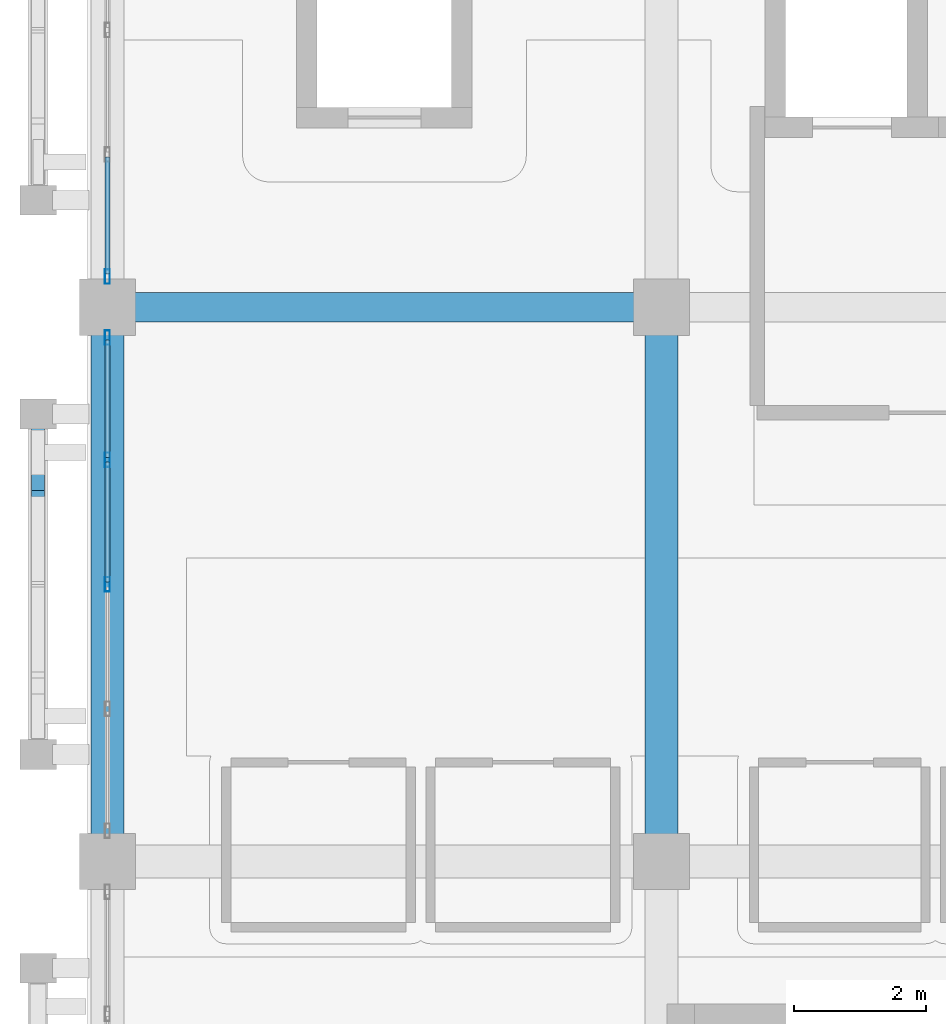
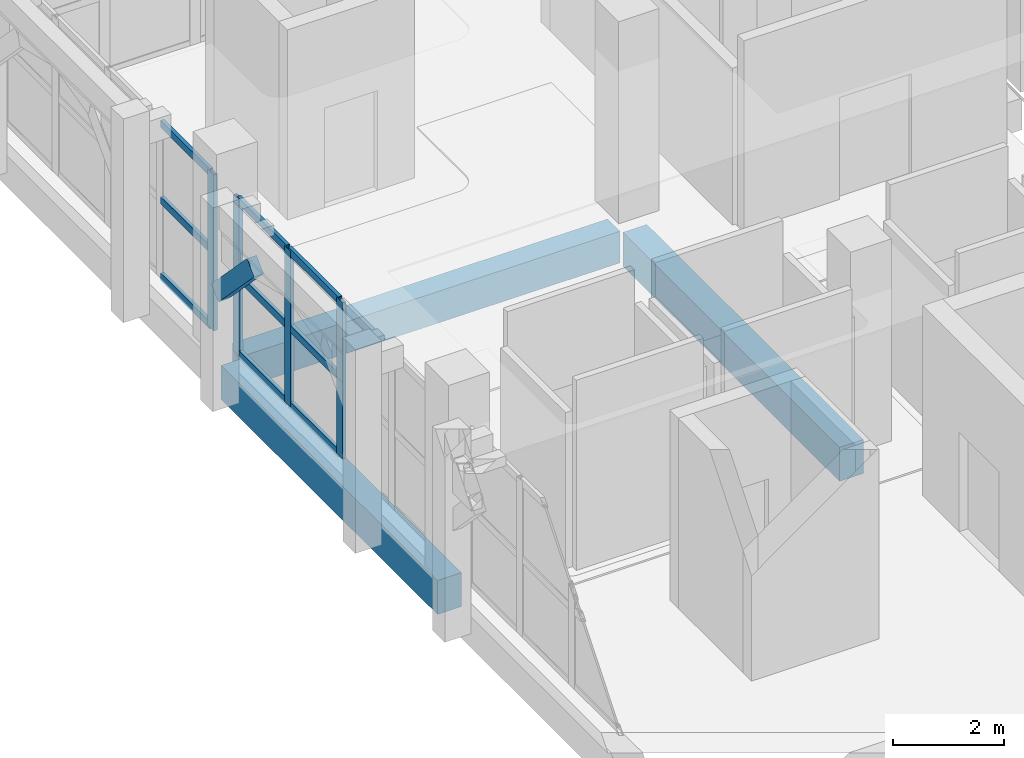
# One storey, part 46 of 129: 14 members, 3 beams, 2 elements without a shape of their own.
"""IFC4 building model written with IfcOpenShell, lengths in metres."""

from ifc_helpers import new_model, si_unit, direction, frame, origin, origin_2d, place, context, subcontext, project, spatial, rectangle, hollow_rectangle, extrude, material, layer, layer_set, material_profile, profile_set, type_object, element, aggregate, save


model = new_model("IFC4")

# Units and contexts
model_context = context("Model", 3, precision=1e-05, world=origin(), true_north=direction((0.0, 1.0)))
body_context = subcontext(model_context, "Body", "Model", "MODEL_VIEW")
ifc_project = project(units=[si_unit("LENGTHUNIT", "METRE"), si_unit("AREAUNIT", "SQUARE_METRE"), si_unit("VOLUMEUNIT", "CUBIC_METRE"), si_unit("PLANEANGLEUNIT", "RADIAN"), si_unit("MASSUNIT", "GRAM", prefix="KILO")], contexts=[model_context])

# Site, building, storey
site_placement = place(None, origin())
site = spatial("IfcSite", under=ifc_project, at=site_placement, CompositionType="ELEMENT")
building_placement = place(site_placement, origin())
building = spatial("IfcBuilding", under=site, at=building_placement, Name="Xazarin Passage Department Store", CompositionType="ELEMENT")
storey_placement = place(building_placement, frame((0.0, 0.0, 9.89990234375)))
storey = spatial("IfcBuildingStorey", under=building, at=storey_placement, Name="L02", CompositionType="ELEMENT", Elevation=9.89990234375)

# Curtain wall, members
ifc_material_1 = material(Name="Bronze anodised aluminium", Category="aluminium")
ifc_layer = layer(ifc_material_1, 0.199951171875)
ifc_layer_set = layer_set([ifc_layer], Name="Bronze anodised aluminium")
curtain_wall_type = type_object("IfcCurtainWallType", Name="ARC-CW-VIT2", PredefinedType="NOTDEFINED", material=ifc_layer_set)
curtain_wall_1_placement = place(storey_placement, origin())
curtain_wall_1 = element("IfcCurtainWall", 1, at=curtain_wall_1_placement, inside=storey, type_object=curtain_wall_type, Name="L02 V1 Curtain Wall 048", PredefinedType="NOTDEFINED")
ifc_material_profile_1 = material_profile(ifc_material_1, hollow_rectangle(XDim=0.074951171875, YDim=0.219970703125, WallThickness=0.0048828125, at=origin_2d()), Name="ALU 75x220")
ifc_profile_set_1 = profile_set([ifc_material_profile_1], Name="Bronze anodised aluminium")
member_type_1 = type_object("IfcMemberType", Name="ARC-CWM-75x220", PredefinedType="MULLION", material=ifc_profile_set_1)
member_1_placement = place(storey_placement, frame((0.0, 89.0, 0.0), z_axis=(0.0, 0.0, 1.0), x_axis=(-1.0, 0.0, 0.0)))
member_1 = element("IfcMember", 2, at=member_1_placement, type_object=member_type_1, Name="CW2 mullion 3", PredefinedType="MULLION", context=body_context, shape_type="SweptSolid", body=[
    extrude(hollow_rectangle(XDim=0.074951171875, YDim=0.219970703125, WallThickness=0.0048828125, at=origin_2d()), origin(), (0.0, 0.0, 1.0), 3.4501953125),
])
member_2_placement = place(storey_placement, frame((0.0, 90.887451171875, 0.0), z_axis=(0.0, 0.0, 1.0), x_axis=(-1.0, 0.0, 0.0)))
member_2 = element("IfcMember", 3, at=member_2_placement, type_object=member_type_1, Name="CW2 mullion 4", PredefinedType="MULLION", context=body_context, shape_type="SweptSolid", body=[
    extrude(hollow_rectangle(XDim=0.074951171875, YDim=0.219970703125, WallThickness=0.0048828125, at=origin_2d()), origin(), (0.0, 0.0, 1.0), 3.4501953125),
])
member_3_placement = place(storey_placement, frame((0.0, 92.737548828125, 0.0), z_axis=(0.0, 0.0, 1.0), x_axis=(-1.0, 0.0, 0.0)))
member_3 = element("IfcMember", 4, at=member_3_placement, type_object=member_type_1, Name="CW2 mullion 5", PredefinedType="MULLION", context=body_context, shape_type="SweptSolid", body=[
    extrude(hollow_rectangle(XDim=0.074951171875, YDim=0.219970703125, WallThickness=0.0048828125, at=origin_2d()), origin(), (0.0, 0.0, 1.0), 3.4501953125),
])

# Curtain wall, member
curtain_wall_2_placement = place(storey_placement, origin())
curtain_wall_2 = element("IfcCurtainWall", 5, at=curtain_wall_2_placement, inside=storey, type_object=curtain_wall_type, Name="L02 V1 Curtain Wall 049", PredefinedType="NOTDEFINED")
member_4_placement = place(storey_placement, frame((0.0, 93.66259765625, 0.0), z_axis=(0.0, 0.0, 1.0), x_axis=(-1.0, 0.0, 0.0)))
member_4 = element("IfcMember", 6, at=member_4_placement, type_object=member_type_1, Name="CW2 mullion 1", PredefinedType="MULLION", context=body_context, shape_type="SweptSolid", body=[
    extrude(hollow_rectangle(XDim=0.074951171875, YDim=0.219970703125, WallThickness=0.0048828125, at=origin_2d()), origin(), (0.0, 0.0, 1.0), 3.4501953125),
])

# Member
ifc_material_profile_2 = material_profile(ifc_material_1, hollow_rectangle(XDim=0.074951171875, YDim=0.159912109375, WallThickness=0.00439453125, at=origin_2d()), Name="ALU 75x160")
ifc_profile_set_2 = profile_set([ifc_material_profile_2], Name="Bronze anodised aluminium")
member_type_2 = type_object("IfcMemberType", Name="ARC-CWT-75x160", PredefinedType="USERDEFINED", material=ifc_profile_set_2)
member_5_placement = place(storey_placement, frame((0.0, 89.03759765625, 0.03759765625), z_axis=(0.0, 1.0, 0.0), x_axis=(-1.0, 0.0, 0.0)))
member_5 = element("IfcMember", 7, at=member_5_placement, type_object=member_type_2, Name="CW2 transom 3.1", ObjectType="TRANSOM", PredefinedType="USERDEFINED", context=body_context, shape_type="SweptSolid", body=[
    extrude(hollow_rectangle(XDim=0.074951171875, YDim=0.159912109375, WallThickness=0.00439453125, at=origin_2d()), origin(), (0.0, 0.0, 1.0), 1.8125),
])

member_6_placement = place(storey_placement, frame((0.0, 89.03759765625, 1.72509765625), z_axis=(0.0, 1.0, 0.0), x_axis=(-1.0, 0.0, 0.0)))
member_6 = element("IfcMember", 8, at=member_6_placement, type_object=member_type_2, Name="CW2 transom 3.2", ObjectType="TRANSOM", PredefinedType="USERDEFINED", context=body_context, shape_type="SweptSolid", body=[
    extrude(hollow_rectangle(XDim=0.074951171875, YDim=0.159912109375, WallThickness=0.00439453125, at=origin_2d()), origin(), (0.0, 0.0, 1.0), 1.8125),
])

member_7_placement = place(storey_placement, frame((0.0, 89.03759765625, 3.41259765625), z_axis=(0.0, 1.0, 0.0), x_axis=(-1.0, 0.0, 0.0)))
member_7 = element("IfcMember", 9, at=member_7_placement, type_object=member_type_2, Name="CW2 transom 3.3", ObjectType="TRANSOM", PredefinedType="USERDEFINED", context=body_context, shape_type="SweptSolid", body=[
    extrude(hollow_rectangle(XDim=0.074951171875, YDim=0.159912109375, WallThickness=0.00439453125, at=origin_2d()), origin(), (0.0, 0.0, 1.0), 1.8125),
])

member_8_placement = place(storey_placement, frame((0.0, 90.925048828125, 0.03759765625), z_axis=(0.0, 1.0, 0.0), x_axis=(-1.0, 0.0, 0.0)))
member_8 = element("IfcMember", 10, at=member_8_placement, type_object=member_type_2, Name="CW2 transom 4.1", ObjectType="TRANSOM", PredefinedType="USERDEFINED", context=body_context, shape_type="SweptSolid", body=[
    extrude(hollow_rectangle(XDim=0.074951171875, YDim=0.159912109375, WallThickness=0.00439453125, at=origin_2d()), origin(), (0.0, 0.0, 1.0), 1.77490234375),
])

member_9_placement = place(storey_placement, frame((0.0, 90.925048828125, 1.72509765625), z_axis=(0.0, 1.0, 0.0), x_axis=(-1.0, 0.0, 0.0)))
member_9 = element("IfcMember", 11, at=member_9_placement, type_object=member_type_2, Name="CW2 transom 4.2", ObjectType="TRANSOM", PredefinedType="USERDEFINED", context=body_context, shape_type="SweptSolid", body=[
    extrude(hollow_rectangle(XDim=0.074951171875, YDim=0.159912109375, WallThickness=0.00439453125, at=origin_2d()), origin(), (0.0, 0.0, 1.0), 1.77490234375),
])

member_10_placement = place(storey_placement, frame((0.0, 90.925048828125, 3.41259765625), z_axis=(0.0, 1.0, 0.0), x_axis=(-1.0, 0.0, 0.0)))
member_10 = element("IfcMember", 12, at=member_10_placement, type_object=member_type_2, Name="CW2 transom 4.3", ObjectType="TRANSOM", PredefinedType="USERDEFINED", context=body_context, shape_type="SweptSolid", body=[
    extrude(hollow_rectangle(XDim=0.074951171875, YDim=0.159912109375, WallThickness=0.00439453125, at=origin_2d()), origin(), (0.0, 0.0, 1.0), 1.77490234375),
])

aggregate(curtain_wall_1, [member_1, member_2, member_3, member_5, member_6, member_7, member_8, member_9, member_10])

member_11_placement = place(storey_placement, frame((0.0, 93.699951171875, 0.03759765625), z_axis=(0.0, 1.0, 0.0), x_axis=(-1.0, 0.0, 0.0)))
member_11 = element("IfcMember", 13, at=member_11_placement, type_object=member_type_2, Name="CW2 transom 1.1", ObjectType="TRANSOM", PredefinedType="USERDEFINED", context=body_context, shape_type="SweptSolid", body=[
    extrude(hollow_rectangle(XDim=0.074951171875, YDim=0.159912109375, WallThickness=0.00439453125, at=origin_2d()), origin(), (0.0, 0.0, 1.0), 1.775146484375),
])

member_12_placement = place(storey_placement, frame((0.0, 93.699951171875, 1.72509765625), z_axis=(0.0, 1.0, 0.0), x_axis=(-1.0, 0.0, 0.0)))
member_12 = element("IfcMember", 14, at=member_12_placement, type_object=member_type_2, Name="CW2 transom 1.2", ObjectType="TRANSOM", PredefinedType="USERDEFINED", context=body_context, shape_type="SweptSolid", body=[
    extrude(hollow_rectangle(XDim=0.074951171875, YDim=0.159912109375, WallThickness=0.00439453125, at=origin_2d()), origin(), (0.0, 0.0, 1.0), 1.775146484375),
])

member_13_placement = place(storey_placement, frame((0.0, 93.699951171875, 3.41259765625), z_axis=(0.0, 1.0, 0.0), x_axis=(-1.0, 0.0, 0.0)))
member_13 = element("IfcMember", 15, at=member_13_placement, type_object=member_type_2, Name="CW2 transom 1.3", ObjectType="TRANSOM", PredefinedType="USERDEFINED", context=body_context, shape_type="SweptSolid", body=[
    extrude(hollow_rectangle(XDim=0.074951171875, YDim=0.159912109375, WallThickness=0.00439453125, at=origin_2d()), origin(), (0.0, 0.0, 1.0), 1.775146484375),
])

aggregate(curtain_wall_2, [member_4, member_11, member_12, member_13])

# Beams
ifc_material_2 = material(Name="Concrete C35/45", Category="concrete")
ifc_material_profile_3 = material_profile(ifc_material_2, rectangle(XDim=0.449951171875, YDim=0.699951171875, at=origin_2d()), Name="RC 450x700")
ifc_profile_set_3 = profile_set([ifc_material_profile_3], Name="Concrete C35/45")
beam_type_1 = type_object("IfcBeamType", Name="STR-BM-G450x700", PredefinedType="BEAM", material=ifc_profile_set_3)
beam_placement = place(storey_placement, frame((0.280029296875, 93.199951171875, -0.64990234375), z_axis=(1.0, 0.0, 0.0), x_axis=(0.0, 1.0, 0.0)))
element("IfcBeam", 16, at=beam_placement, inside=storey, type_object=beam_type_1, Name="L02 Grid Beam N/1-2", PredefinedType="BEAM", context=body_context, shape_type="SweptSolid", body=[
    extrude(rectangle(XDim=0.449951171875, YDim=0.699951171875, at=origin_2d()), origin(), (0.0, 0.0, 1.0), 7.840087890625),
])
ifc_material_profile_4 = material_profile(ifc_material_2, rectangle(XDim=0.5, YDim=0.75, at=origin_2d()), Name="RC 500x750")
ifc_profile_set_4 = profile_set([ifc_material_profile_4], Name="Concrete C35/45")
beam_type_2 = type_object("IfcBeamType", Name="STR-BM-SP500x750", PredefinedType="SPANDREL", material=ifc_profile_set_4)
for number, where, z_axis, x_axis, name in (
    (17, (0.0, 85.080078125, -0.6748046875), (0.0, 1.0, 0.0), (-1.0, 0.0, 0.0), "L02 Grid Beam 1/M-N"),
    (18, (8.39990234375, 85.080078125, -0.6748046875), (0.0, 1.0, 0.0), (-1.0, 0.0, 0.0), "L02 Grid Beam 2/M-N"),
):
    element("IfcBeam", number, at=place(storey_placement, frame(where, z_axis=z_axis, x_axis=x_axis)), inside=storey, type_object=beam_type_2, Name=name, PredefinedType="SPANDREL", context=body_context, shape_type="SweptSolid", body=[
        extrude(rectangle(XDim=0.5, YDim=0.75, at=origin_2d()), origin(), (0.0, 0.0, 1.0), 7.83984375),
    ])

# Member
ifc_material_3 = material(Name="Concrete C40/50", Category="concrete")
ifc_material_profile_5 = material_profile(ifc_material_3, rectangle(XDim=0.199951171875, YDim=0.360107421875, at=origin_2d()), Name="RC 200x360")
ifc_profile_set_5 = profile_set([ifc_material_profile_5], Name="Concrete C40/50")
member_type_3 = type_object("IfcMemberType", Name="STR-MEM-ARC360", PredefinedType="CHORD", material=ifc_profile_set_5)
member_14_placement = place(storey_placement, frame((-1.050048828125, 90.2900390625, 3.7705078125), z_axis=(0.0, 0.693460080602, -0.720495049679), x_axis=(-1.0, 0.0, 0.0)))
element("IfcMember", 19, at=member_14_placement, inside=storey, type_object=member_type_3, Name="L02 V1 Pierced Lattice Curved Arch 012.4", PredefinedType="CHORD", context=body_context, shape_type="SweptSolid", body=[
    extrude(rectangle(XDim=0.199951171875, YDim=0.360107421875, at=origin_2d()), origin(), (0.0, 0.0, 1.0), 1.8603515625),
])

save(model, "model.ifc")
